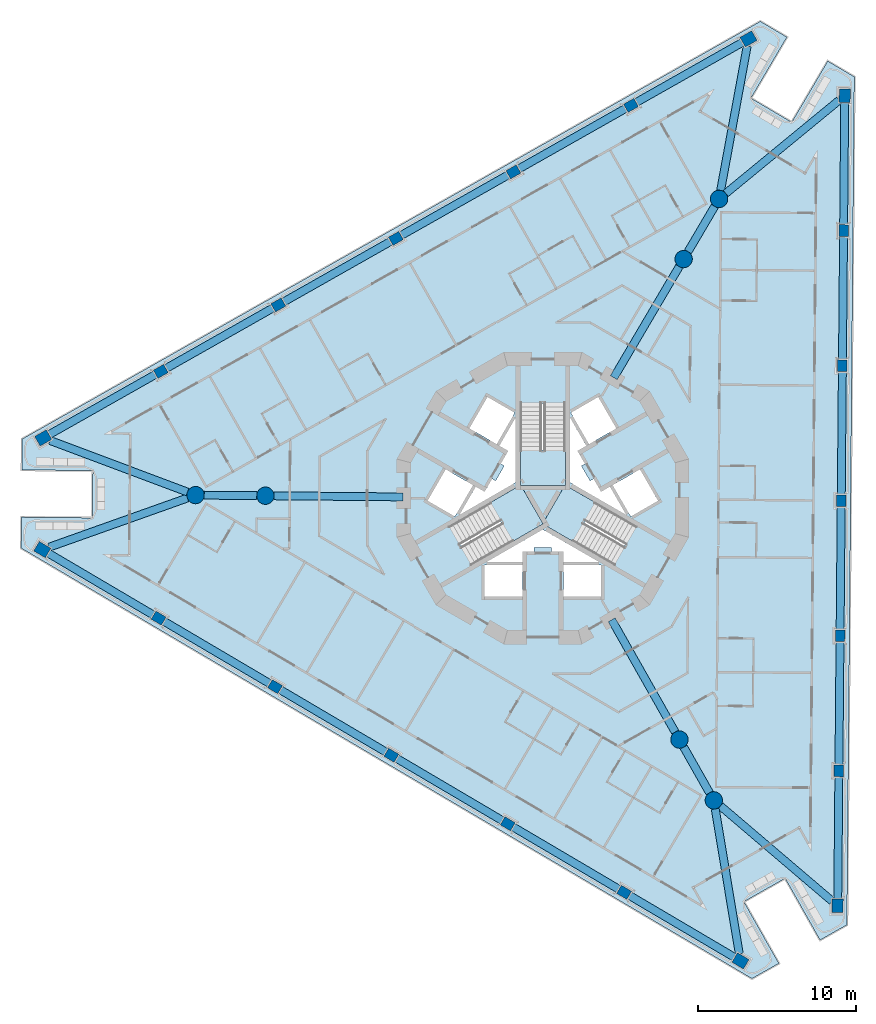
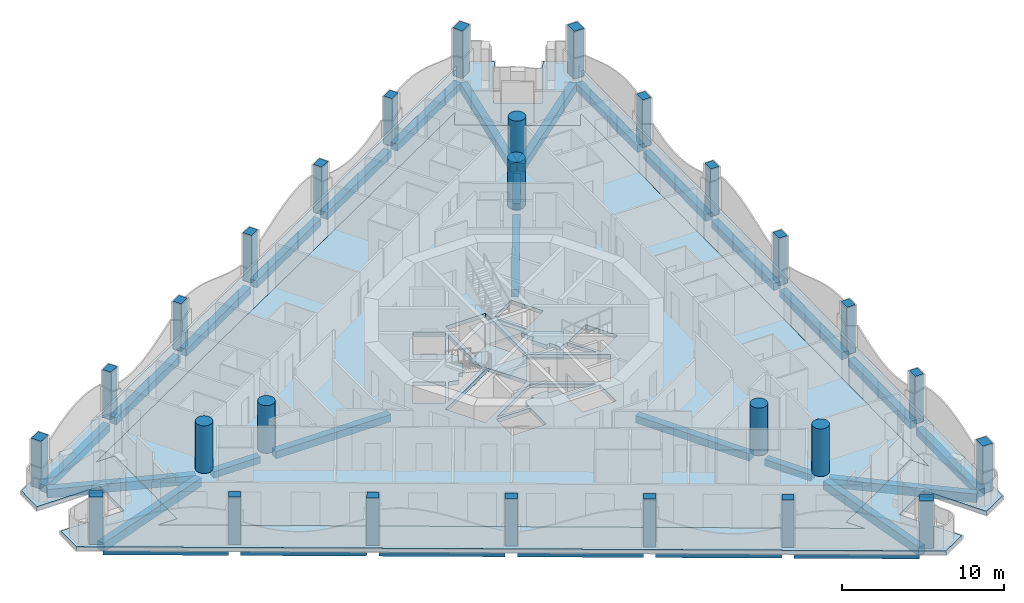
# One storey, part 1 of 17: 30 beams, 27 columns, 6 slabs, 3 elements without a shape of their own.
"""IFC4 building model written with IfcOpenShell, lengths in metres."""

from ifc_helpers import new_model, si_unit, direction, frame, origin, origin_2d, place, context, subcontext, project, spatial, polyline, rectangle, circle, outline, extrude, material, layer, layer_set, material_profile, profile_set, type_object, element, aggregate, save


model = new_model("IFC4")

# Units and contexts
model_context = context("Model", 3, precision=1e-05, world=origin(), true_north=direction((0.0, 1.0)))
body_context = subcontext(model_context, "Body", "Model", "MODEL_VIEW")
ifc_project = project(units=[si_unit("LENGTHUNIT", "METRE"), si_unit("AREAUNIT", "SQUARE_METRE"), si_unit("VOLUMEUNIT", "CUBIC_METRE"), si_unit("PLANEANGLEUNIT", "RADIAN"), si_unit("MASSUNIT", "GRAM", prefix="KILO")], contexts=[model_context])

# Site, building, storey
site_placement = place(None, origin())
site = spatial("IfcSite", under=ifc_project, at=site_placement, CompositionType="ELEMENT")
building_placement = place(site_placement, origin())
building = spatial("IfcBuilding", under=site, at=building_placement, Name="Trine Commons Tower", CompositionType="ELEMENT")
storey_placement = place(building_placement, frame((0.0, 0.0, 186.300048828125)))
storey = spatial("IfcBuildingStorey", under=building, at=storey_placement, Name="L48", CompositionType="ELEMENT", Elevation=186.300048828125)

# Columns
ifc_material_1 = material(Name="Concrete C60/75", Category="concrete")
ifc_material_profile_1 = material_profile(ifc_material_1, rectangle(XDim=0.75, YDim=0.60009765625, at=origin_2d()), Name="RC 750x600")
ifc_profile_set_1 = profile_set([ifc_material_profile_1], Name="Concrete C60/75")
column_type_1 = type_object("IfcColumnType", Name="RC column 750x600, C60/75", PredefinedType="COLUMN", material=ifc_profile_set_1)
for number, where, z_axis, x_axis, name in (
    (1, (85.15771484375, 37.483154296875, 0.0), (0.0, 0.0, 1.0), (-0.861629160442, 0.507538362961, 0.0), "Column PC5-02 L48"),
    (2, (77.773193359375, 41.8330078125, 0.0), (0.0, 0.0, 1.0), (-0.861629160442, 0.507538362961, 0.0), "Column PC5-03 L48"),
    (3, (70.388427734375, 46.182861328125, 0.0), (0.0, 0.0, 1.0), (-0.861629160442, 0.507538362961, 0.0), "Column PC5-04 L48"),
    (4, (63.00390625, 50.53271484375, 0.0), (0.0, 0.0, 1.0), (-0.861629160442, 0.507538362961, 0.0), "Column PC5-05 L48"),
    (5, (55.619140625, 54.8828125, 0.0), (0.0, 0.0, 1.0), (-0.861629160442, 0.507538362961, 0.0), "Column PC5-06 L48"),
    (6, (55.755859375, 70.541748046875, 0.0), (0.0, 0.0, 1.0), (0.87035569594, 0.492423560103, 0.0), "Column PC5-09 L48"),
    (7, (63.215087890625, 74.761962890625, 0.0), (0.0, 0.0, 1.0), (0.87035569594, 0.492423560103, 0.0), "Column PC5-10 L48"),
    (8, (70.6748046875, 78.982421875, 0.0), (0.0, 0.0, 1.0), (0.87035569594, 0.492423560103, 0.0), "Column PC5-11 L48"),
    (9, (78.13427734375, 83.202880859375, 0.0), (0.0, 0.0, 1.0), (0.87035569594, 0.492423560103, 0.0), "Column PC5-12 L48"),
    (10, (85.59375, 87.423095703125, 0.0), (0.0, 0.0, 1.0), (0.87035569594, 0.492423560103, 0.0), "Column PC5-13 L48"),
    (11, (99.08642578125, 79.475341796875, 0.0), (0.0, 0.0, 1.0), (0.008726535498, 0.999961923064, 0.0), "Column PC5-16 L48"),
    (12, (99.01171875, 70.905029296875, 0.0), (0.0, 0.0, 1.0), (0.008726535498, 0.999961923064, 0.0), "Column PC5-17 L48"),
    (13, (98.936767578125, 62.334716796875, 0.0), (0.0, 0.0, 1.0), (0.008726535498, 0.999961923064, 0.0), "Column PC5-18 L48"),
    (14, (98.862060546875, 53.764404296875, 0.0), (0.0, 0.0, 1.0), (0.008726535498, 0.999961923064, 0.0), "Column PC5-19 L48"),
    (15, (98.787109375, 45.194091796875, 0.0), (0.0, 0.0, 1.0), (0.008726535498, 0.999961923064, 0.0), "Column PC5-20 L48"),
):
    element("IfcColumn", number, at=place(storey_placement, frame(where, z_axis=z_axis, x_axis=x_axis)), inside=storey, type_object=column_type_1, Name=name, PredefinedType="COLUMN", context=body_context, shape_type="SweptSolid", body=[
        extrude(rectangle(XDim=0.75, YDim=0.60009765625, at=origin_2d()), origin(), (0.0, 0.0, 1.0), 3.599853515625),
    ])
ifc_material_profile_2 = material_profile(ifc_material_1, rectangle(XDim=0.85009765625, YDim=0.699951171875, at=origin_2d()), Name="RC 850x700")
ifc_profile_set_2 = profile_set([ifc_material_profile_2], Name="Concrete C60/75")
column_type_2 = type_object("IfcColumnType", Name="RC column 850x700, C60/75", PredefinedType="COLUMN", material=ifc_profile_set_2)
for number, where, z_axis, x_axis, name in (
    (16, (92.54248046875, 33.133056640625, 0.0), (0.0, 0.0, 1.0), (-0.861629160442, 0.507538362961, 0.0), "Column PC5-01 L48"),
    (17, (48.234375, 59.232666015625, 0.0), (0.0, 0.0, 1.0), (-0.861629160442, 0.507538362961, 0.0), "Column PC5-07 L48"),
    (18, (48.29638671875, 66.3212890625, 0.0), (0.0, 0.0, 1.0), (0.87035569594, 0.492423560103, 0.0), "Column PC5-08 L48"),
    (19, (93.052978515625, 91.6435546875, 0.0), (0.0, 0.0, 1.0), (0.87035569594, 0.492423560103, 0.0), "Column PC5-14 L48"),
    (20, (99.1611328125, 88.045654296875, 0.0), (0.0, 0.0, 1.0), (0.008726535498, 0.999961923064, 0.0), "Column PC5-15 L48"),
    (21, (98.71240234375, 36.623779296875, 0.0), (0.0, 0.0, 1.0), (0.008726535498, 0.999961923064, 0.0), "Column PC5-21 L48"),
):
    element("IfcColumn", number, at=place(storey_placement, frame(where, z_axis=z_axis, x_axis=x_axis)), inside=storey, type_object=column_type_2, Name=name, PredefinedType="COLUMN", context=body_context, shape_type="SweptSolid", body=[
        extrude(rectangle(XDim=0.85009765625, YDim=0.699951171875, at=origin_2d()), origin(), (0.0, 0.0, 1.0), 3.599853515625),
    ])
ifc_material_profile_3 = material_profile(ifc_material_1, circle(Radius=0.550048828125, at=origin_2d()), Name="RC round 1100")
ifc_profile_set_3 = profile_set([ifc_material_profile_3], Name="Concrete C60/75")
column_type_3 = type_object("IfcColumnType", Name="RC round column 1100 mm, C60/75", PredefinedType="COLUMN", material=ifc_profile_set_3)
for number, where, z_axis, x_axis, name in (
    (22, (88.66943359375, 47.177001953125, 0.0), (0.0, 0.0, 1.0), (1.0, 0.0, 0.0), "Column WC5-1 L48"),
    (23, (90.85205078125, 43.319091796875, 0.0), (0.0, 0.0, 1.0), (1.0, 0.0, 0.0), "Column WC5-2 L48"),
    (24, (88.935546875, 77.66943359375, 0.0), (0.0, 0.0, 1.0), (1.0, 0.0, 0.0), "Column WC5-3 L48"),
    (25, (91.185302734375, 81.488525390625, 0.0), (0.0, 0.0, 1.0), (1.0, 0.0, 0.0), "Column WC5-4 L48"),
    (26, (62.39501953125, 62.653564453125, 0.0), (0.0, 0.0, 1.0), (1.0, 0.0, 0.0), "Column WC5-5 L48"),
    (27, (57.962890625, 62.6923828125, 0.0), (0.0, 0.0, 1.0), (1.0, 0.0, 0.0), "Column WC5-6 L48"),
):
    element("IfcColumn", number, at=place(storey_placement, frame(where, z_axis=z_axis, x_axis=x_axis)), inside=storey, type_object=column_type_3, Name=name, PredefinedType="COLUMN", context=body_context, shape_type="SweptSolid", body=[
        extrude(circle(Radius=0.550048828125, at=origin_2d()), origin(), (0.0, 0.0, 1.0), 3.599853515625),
    ])

# Beams
ifc_material_2 = material(Name="Concrete C40/50", Category="concrete")
ifc_material_profile_4 = material_profile(ifc_material_2, rectangle(XDim=0.5, YDim=0.5, at=origin_2d()), Name="RC 500x500")
ifc_profile_set_4 = profile_set([ifc_material_profile_4], Name="Concrete C40/50")
beam_type_1 = type_object("IfcBeamType", Name="RC beam 500x500, C40/50", PredefinedType="BEAM", material=ifc_profile_set_4)
beam_1_placement = place(storey_placement, frame((88.93994140625, 46.698486328125, -0.550048828125), z_axis=(0.492474717644, -0.870326750411, 0.0), x_axis=(0.870326750411, 0.492474717644, 0.0)))
element("IfcBeam", 28, at=beam_1_placement, inside=storey, type_object=beam_type_1, Name="Beam RB5-02 L48", PredefinedType="BEAM", context=body_context, shape_type="SweptSolid", body=[
    extrude(rectangle(XDim=0.5, YDim=0.5, at=origin_2d()), origin(), (0.0, 0.0, 1.0), 3.333251953125),
])
beam_2_placement = place(storey_placement, frame((89.21435546875, 78.142578125, -0.550048828125), z_axis=(0.507522450497, 0.861638533401, 0.0), x_axis=(-0.861638533401, 0.507522450497, 0.0)))
element("IfcBeam", 29, at=beam_2_placement, inside=storey, type_object=beam_type_1, Name="Beam RB5-04 L48", PredefinedType="BEAM", context=body_context, shape_type="SweptSolid", body=[
    extrude(rectangle(XDim=0.5, YDim=0.5, at=origin_2d()), origin(), (0.0, 0.0, 1.0), 3.334228515625),
])
beam_3_placement = place(storey_placement, frame((61.84521484375, 62.658447265625, -0.550048828125), z_axis=(-0.999962000851, 0.008717617443, 0.0), x_axis=(-0.008717617443, -0.999962000851, 0.0)))
element("IfcBeam", 30, at=beam_3_placement, inside=storey, type_object=beam_type_1, Name="Beam RB5-06 L48", PredefinedType="BEAM", context=body_context, shape_type="SweptSolid", body=[
    extrude(rectangle(XDim=0.5, YDim=0.5, at=origin_2d()), origin(), (0.0, 0.0, 1.0), 3.332763671875),
])
ifc_material_profile_5 = material_profile(ifc_material_2, rectangle(XDim=0.5, YDim=0.550048828125, at=origin_2d()), Name="RC 500x550")
ifc_profile_set_5 = profile_set([ifc_material_profile_5], Name="Concrete C40/50")
beam_type_2 = type_object("IfcBeamType", Name="RC beam 500x550, C40/50", PredefinedType="BEAM", material=ifc_profile_set_5)
beam_4_placement = place(storey_placement, frame((92.17626953125, 33.348876953125, -0.574951171875), z_axis=(-0.861628755535, 0.507539050354, 0.0), x_axis=(-0.507539050354, -0.861628755535, 0.0)))
element("IfcBeam", 31, at=beam_4_placement, inside=storey, type_object=beam_type_2, Name="Beam EB5-01 L48", PredefinedType="BEAM", context=body_context, shape_type="SweptSolid", body=[
    extrude(rectangle(XDim=0.5, YDim=0.550048828125, at=origin_2d()), origin(), (0.0, 0.0, 1.0), 7.7705078125),
])
beam_5_placement = place(storey_placement, frame((84.834716796875, 37.67333984375, -0.574951171875), z_axis=(-0.861632320767, 0.507532997755, 0.0), x_axis=(-0.507532997755, -0.861632320767, 0.0)))
element("IfcBeam", 32, at=beam_5_placement, inside=storey, type_object=beam_type_2, Name="Beam EB5-02 L48", PredefinedType="BEAM", context=body_context, shape_type="SweptSolid", body=[
    extrude(rectangle(XDim=0.5, YDim=0.550048828125, at=origin_2d()), origin(), (0.0, 0.0, 1.0), 7.820556640625),
])
beam_6_placement = place(storey_placement, frame((77.4501953125, 42.023193359375, -0.574951171875), z_axis=(-0.861618669075, 0.507556173345, 0.0), x_axis=(-0.507556173345, -0.861618669075, 0.0)))
element("IfcBeam", 33, at=beam_6_placement, inside=storey, type_object=beam_type_2, Name="Beam EB5-03 L48", PredefinedType="BEAM", context=body_context, shape_type="SweptSolid", body=[
    extrude(rectangle(XDim=0.5, YDim=0.550048828125, at=origin_2d()), origin(), (0.0, 0.0, 1.0), 7.82080078125),
])
for number, where, z_axis, x_axis, name in (
    (34, (70.0654296875, 46.373291015625, -0.574951171875), (-0.861632320767, 0.507532997755, 0.0), (-0.507532997755, -0.861632320767, 0.0), "Beam EB5-04 L48"),
    (35, (62.6806640625, 50.72314453125, -0.574951171875), (-0.861632320767, 0.507532997755, 0.0), (-0.507532997755, -0.861632320767, 0.0), "Beam EB5-05 L48"),
):
    element("IfcBeam", number, at=place(storey_placement, frame(where, z_axis=z_axis, x_axis=x_axis)), inside=storey, type_object=beam_type_2, Name=name, PredefinedType="BEAM", context=body_context, shape_type="SweptSolid", body=[
        extrude(rectangle(XDim=0.5, YDim=0.550048828125, at=origin_2d()), origin(), (0.0, 0.0, 1.0), 7.820556640625),
    ])
for number, where, z_axis, x_axis, name in (
    (36, (55.2958984375, 55.072998046875, -0.574951171875), (-0.861628755535, 0.507539050354, 0.0), (-0.507539050354, -0.861628755535, 0.0), "Beam EB5-06 L48"),
    (37, (48.666259765625, 66.530517578125, -0.574951171875), (0.870356200913, 0.492422667566, 0.0), (-0.492422667566, 0.870356200913, 0.0), "Beam EB5-07 L48"),
):
    element("IfcBeam", number, at=place(storey_placement, frame(where, z_axis=z_axis, x_axis=x_axis)), inside=storey, type_object=beam_type_2, Name=name, PredefinedType="BEAM", context=body_context, shape_type="SweptSolid", body=[
        extrude(rectangle(XDim=0.5, YDim=0.550048828125, at=origin_2d()), origin(), (0.0, 0.0, 1.0), 7.7705078125),
    ])
for number, where, z_axis, x_axis, name in (
    (38, (56.082275390625, 70.726318359375, -0.574951171875), (0.87035228491, 0.49242958903, 0.0), (-0.49242958903, 0.87035228491, 0.0), "Beam EB5-08 L48"),
    (39, (63.54150390625, 74.94677734375, -0.574951171875), (0.870373233333, 0.492392561578, 0.0), (-0.492392561578, 0.870373233333, 0.0), "Beam EB5-09 L48"),
    (40, (71.001220703125, 79.1669921875, -0.574951171875), (0.87035228491, 0.49242958903, 0.0), (-0.49242958903, 0.87035228491, 0.0), "Beam EB5-10 L48"),
    (41, (78.460693359375, 83.387451171875, -0.574951171875), (0.870365664344, 0.492405940592, 0.0), (-0.492405940592, 0.870365664344, 0.0), "Beam EB5-11 L48"),
):
    element("IfcBeam", number, at=place(storey_placement, frame(where, z_axis=z_axis, x_axis=x_axis)), inside=storey, type_object=beam_type_2, Name=name, PredefinedType="BEAM", context=body_context, shape_type="SweptSolid", body=[
        extrude(rectangle(XDim=0.5, YDim=0.550048828125, at=origin_2d()), origin(), (0.0, 0.0, 1.0), 7.820556640625),
    ])
beam_7_placement = place(storey_placement, frame((85.920166015625, 87.60791015625, -0.574951171875), z_axis=(0.870362048186, 0.492412332377, 0.0), x_axis=(-0.492412332377, 0.870362048186, 0.0)))
element("IfcBeam", 42, at=beam_7_placement, inside=storey, type_object=beam_type_2, Name="Beam EB5-12 L48", PredefinedType="BEAM", context=body_context, shape_type="SweptSolid", body=[
    extrude(rectangle(XDim=0.5, YDim=0.550048828125, at=origin_2d()), origin(), (0.0, 0.0, 1.0), 7.770263671875),
])
beam_8_placement = place(storey_placement, frame((99.157470703125, 87.62060546875, -0.574951171875), z_axis=(-0.008734388901, -0.999961854498, 0.0), x_axis=(0.999961854498, -0.008734388901, 0.0)))
element("IfcBeam", 43, at=beam_8_placement, inside=storey, type_object=beam_type_2, Name="Beam EB5-13 L48", PredefinedType="BEAM", context=body_context, shape_type="SweptSolid", body=[
    extrude(rectangle(XDim=0.5, YDim=0.550048828125, at=origin_2d()), origin(), (0.0, 0.0, 1.0), 7.7705078125),
])
for number, where, z_axis, x_axis, name in (
    (44, (99.0830078125, 79.100341796875, -0.574951171875), (-0.008709709586, -0.99996206976, 0.0), (0.99996206976, -0.008709709586, 0.0), "Beam EB5-14 L48"),
    (45, (99.00830078125, 70.530029296875, -0.574951171875), (-0.008709709586, -0.99996206976, 0.0), (0.99996206976, -0.008709709586, 0.0), "Beam EB5-15 L48"),
    (46, (98.93359375, 61.959716796875, -0.574951171875), (-0.008740924802, -0.999961797387, 0.0), (0.999961797387, -0.008740924802, 0.0), "Beam EB5-16 L48"),
    (47, (98.858642578125, 53.389404296875, -0.574951171875), (-0.008709709586, -0.99996206976, 0.0), (0.99996206976, -0.008709709586, 0.0), "Beam EB5-17 L48"),
):
    element("IfcBeam", number, at=place(storey_placement, frame(where, z_axis=z_axis, x_axis=x_axis)), inside=storey, type_object=beam_type_2, Name=name, PredefinedType="BEAM", context=body_context, shape_type="SweptSolid", body=[
        extrude(rectangle(XDim=0.5, YDim=0.550048828125, at=origin_2d()), origin(), (0.0, 0.0, 1.0), 7.820556640625),
    ])
beam_9_placement = place(storey_placement, frame((98.783935546875, 44.819091796875, -0.574951171875), z_axis=(-0.008734388901, -0.999961854498, 0.0), x_axis=(0.999961854498, -0.008734388901, 0.0)))
element("IfcBeam", 48, at=beam_9_placement, inside=storey, type_object=beam_type_2, Name="Beam EB5-18 L48", PredefinedType="BEAM", context=body_context, shape_type="SweptSolid", body=[
    extrude(rectangle(XDim=0.5, YDim=0.550048828125, at=origin_2d()), origin(), (0.0, 0.0, 1.0), 7.7705078125),
])
beam_10_placement = place(storey_placement, frame((84.369384765625, 54.777099609375, -0.574951171875), z_axis=(0.492419995537, -0.870357712665, 0.0), x_axis=(0.870357712665, 0.492419995537, 0.0)))
element("IfcBeam", 49, at=beam_10_placement, inside=storey, type_object=beam_type_2, Name="Beam RB5-01 L48", PredefinedType="BEAM", context=body_context, shape_type="SweptSolid", body=[
    extrude(rectangle(XDim=0.5, YDim=0.550048828125, at=origin_2d()), origin(), (0.0, 0.0, 1.0), 8.1826171875),
])
beam_11_placement = place(storey_placement, frame((84.50341796875, 70.1455078125, -0.574951171875), z_axis=(0.507559825452, 0.861616517708, 0.0), x_axis=(-0.861616517708, 0.507559825452, 0.0)))
element("IfcBeam", 50, at=beam_11_placement, inside=storey, type_object=beam_type_2, Name="Beam RB5-03 L48", PredefinedType="BEAM", context=body_context, shape_type="SweptSolid", body=[
    extrude(rectangle(XDim=0.5, YDim=0.550048828125, at=origin_2d()), origin(), (0.0, 0.0, 1.0), 8.182861328125),
])
beam_12_placement = place(storey_placement, frame((71.127197265625, 62.577392578125, -0.574951171875), z_axis=(-0.999962048186, 0.008712186128, 0.0), x_axis=(-0.008712186128, -0.999962048186, 0.0)))
element("IfcBeam", 51, at=beam_12_placement, inside=storey, type_object=beam_type_2, Name="Beam RB5-05 L48", PredefinedType="BEAM", context=body_context, shape_type="SweptSolid", body=[
    extrude(rectangle(XDim=0.5, YDim=0.550048828125, at=origin_2d()), origin(), (0.0, 0.0, 1.0), 8.1826171875),
])
ifc_material_profile_6 = material_profile(ifc_material_2, rectangle(XDim=0.5, YDim=0.64990234375, at=origin_2d()), Name="RC 500x650")
ifc_profile_set_6 = profile_set([ifc_material_profile_6], Name="Concrete C40/50")
beam_type_3 = type_object("IfcBeamType", Name="RC beam 500x650, C40/50", PredefinedType="BEAM", material=ifc_profile_set_6)
beam_13_placement = place(storey_placement, frame((48.664306640625, 59.385498046875, -0.625), z_axis=(0.94219208675, 0.335073233287, 0.0), x_axis=(-0.335073233287, 0.94219208675, 0.0)))
element("IfcBeam", 52, at=beam_13_placement, inside=storey, type_object=beam_type_3, Name="Beam CB5-01 L48", PredefinedType="BEAM", context=body_context, shape_type="SweptSolid", body=[
    extrude(rectangle(XDim=0.5, YDim=0.64990234375, at=origin_2d()), origin(), (0.0, 0.0, 1.0), 9.31982421875),
])
beam_14_placement = place(storey_placement, frame((48.7236328125, 66.160888671875, -0.625), z_axis=(0.936203156272, -0.351459315123, 0.0), x_axis=(0.351459315123, 0.936203156272, 0.0)))
element("IfcBeam", 53, at=beam_14_placement, inside=storey, type_object=beam_type_3, Name="Beam CB5-02 L48", PredefinedType="BEAM", context=body_context, shape_type="SweptSolid", body=[
    extrude(rectangle(XDim=0.5, YDim=0.64990234375, at=origin_2d()), origin(), (0.0, 0.0, 1.0), 9.3193359375),
])
beam_15_placement = place(storey_placement, frame((92.970458984375, 91.194580078125, -0.625), z_axis=(-0.180897704794, -0.983501916826, 0.0), x_axis=(0.983501916826, -0.180897704794, 0.0)))
element("IfcBeam", 54, at=beam_15_placement, inside=storey, type_object=beam_type_3, Name="Beam CB5-03 L48", PredefinedType="BEAM", context=body_context, shape_type="SweptSolid", body=[
    extrude(rectangle(XDim=0.5, YDim=0.64990234375, at=origin_2d()), origin(), (0.0, 0.0, 1.0), 9.319091796875),
])
beam_16_placement = place(storey_placement, frame((98.80859375, 87.755859375, -0.625), z_axis=(-0.772466897343, -0.635055031087, 0.0), x_axis=(0.635055031087, -0.772466897343, 0.0)))
element("IfcBeam", 55, at=beam_16_placement, inside=storey, type_object=beam_type_3, Name="Beam CB5-04 L48", PredefinedType="BEAM", context=body_context, shape_type="SweptSolid", body=[
    extrude(rectangle(XDim=0.5, YDim=0.64990234375, at=origin_2d()), origin(), (0.0, 0.0, 1.0), 9.31884765625),
])
beam_17_placement = place(storey_placement, frame((98.364990234375, 36.919921875, -0.625), z_axis=(-0.761281547068, 0.648421472573, 0.0), x_axis=(-0.648421472573, -0.761281547068, 0.0)))
element("IfcBeam", 56, at=beam_17_placement, inside=storey, type_object=beam_type_3, Name="Beam CB5-05 L48", PredefinedType="BEAM", context=body_context, shape_type="SweptSolid", body=[
    extrude(rectangle(XDim=0.5, YDim=0.64990234375, at=origin_2d()), origin(), (0.0, 0.0, 1.0), 9.319091796875),
])
beam_18_placement = place(storey_placement, frame((92.4677734375, 33.583251953125, -0.625), z_axis=(-0.163727753956, 0.986505561355, 0.0), x_axis=(-0.986505561355, -0.163727753956, 0.0)))
element("IfcBeam", 57, at=beam_18_placement, inside=storey, type_object=beam_type_3, Name="Beam CB5-06 L48", PredefinedType="BEAM", context=body_context, shape_type="SweptSolid", body=[
    extrude(rectangle(XDim=0.5, YDim=0.64990234375, at=origin_2d()), origin(), (0.0, 0.0, 1.0), 9.319580078125),
])

# Slabs
ifc_layer_1 = layer(ifc_material_2, 0.300048828125)
ifc_layer_set_1 = layer_set([ifc_layer_1], Name="Concrete C40/50")
slab_type_1 = type_object("IfcSlabType", Name="Loggia slab 300 mm, C40/50", PredefinedType="FLOOR", material=ifc_layer_set_1)
slab_1_placement = place(storey_placement, frame((0.0, 0.0, -0.300048828125)))
element("IfcSlab", 58, at=slab_1_placement, inside=storey, type_object=slab_type_1, Name="Loggia slab L48", PredefinedType="FLOOR", context=body_context, shape_type="SweptSolid", body=[
    extrude(outline(polyline([(99.302001953125, 35.418701171875), (99.771484375, 89.240234375), (98.079345703125, 90.237060546875), (95.79541015625, 86.35986328125), (93.21044921875, 87.88232421875), (95.494384765625, 91.759765625), (93.802001953125, 92.756591796875), (46.956298828125, 66.252685546875), (46.939208984375, 64.28857421875), (51.439208984375, 64.249267578125), (51.412841796875, 61.24951171875), (46.9130859375, 61.288818359375), (46.89599609375, 59.32470703125), (93.27197265625, 32.007080078125), (94.9814453125, 32.974365234375), (92.765380859375, 36.890869140625), (95.376708984375, 38.3681640625), (97.592529296875, 34.45166015625), (99.302001953125, 35.418701171875)]), holes=[polyline([(90.156982421875, 36.627197265625), (89.494873046875, 37.7978515625), (96.28369140625, 41.638916015625), (96.94580078125, 40.46826171875), (97.327880859375, 84.232666015625), (96.645263671875, 83.07373046875), (89.924560546875, 87.03271484375), (90.607177734375, 88.19140625), (52.514892578125, 66.639892578125), (53.860107421875, 66.62841796875), (53.7919921875, 58.82861328125), (52.447021484375, 58.84033203125), (90.156982421875, 36.627197265625)])]), origin(), (0.0, 0.0, 1.0), 0.300048828125),
])
ifc_layer_2 = layer(ifc_material_2, 0.300048828125)
ifc_layer_set_2 = layer_set([ifc_layer_2], Name="Concrete C40/50")
slab_type_2 = type_object("IfcSlabType", Name="PT flat slab 300 mm, C40/50", PredefinedType="FLOOR", material=ifc_layer_set_2)
slab_2_placement = place(storey_placement, frame((0.0, 0.0, -0.300048828125)))
element("IfcSlab", 59, at=slab_2_placement, inside=storey, type_object=slab_type_2, Name="Floor slab L48", PredefinedType="FLOOR", context=body_context, shape_type="SweptSolid", body=[
    extrude(outline(polyline([(52.447021484375, 58.84033203125), (90.156982421875, 36.627197265625), (89.494873046875, 37.7978515625), (96.28369140625, 41.638916015625), (96.94580078125, 40.46826171875), (97.327880859375, 84.232666015625), (96.645263671875, 83.07373046875), (89.924560546875, 87.03271484375), (90.607177734375, 88.19140625), (52.514892578125, 66.639892578125), (53.860107421875, 66.62841796875), (53.7919921875, 58.82861328125), (52.447021484375, 58.84033203125)]), holes=[polyline([(78.699951171875, 56.25), (78.699951171875, 58.25), (76.300048828125, 58.25), (76.300048828125, 56.25), (78.699951171875, 56.25)]), polyline([(80.0, 60.8544921875), (84.4755859375, 58.2705078125), (85.900390625, 60.73876953125), (81.425048828125, 63.32275390625), (81.425048828125, 68.490478515625), (78.574951171875, 68.490478515625), (78.574951171875, 63.32275390625), (74.099609375, 60.73876953125), (75.5244140625, 58.2705078125), (80.0, 60.8544921875)]), polyline([(73.83740234375, 64.325927734375), (72.687255859375, 62.333984375), (74.41943359375, 61.333984375), (75.5693359375, 63.325927734375), (73.83740234375, 64.325927734375)]), polyline([(76.381103515625, 63.031005859375), (75.742919921875, 63.22607421875), (74.7099609375, 61.43798828125), (78.27490234375, 63.49609375), (78.27490234375, 67.612060546875), (77.242919921875, 65.823974609375), (77.73095703125, 65.368896484375), (77.3310546875, 64.676025390625), (77.555908203125, 64.5458984375), (77.006103515625, 63.593994140625), (76.781005859375, 63.722900390625), (76.381103515625, 63.031005859375)]), polyline([(76.4873046875, 68.916015625), (75.33740234375, 66.924072265625), (77.0693359375, 65.924072265625), (78.219482421875, 67.916015625), (76.4873046875, 68.916015625)]), polyline([(83.699951171875, 56.25), (83.699951171875, 58.25), (81.300048828125, 58.25), (81.300048828125, 56.25), (83.699951171875, 56.25)]), polyline([(81.14990234375, 59.10009765625), (81.300048828125, 58.449951171875), (83.56494140625, 58.449951171875), (80.0, 60.508056640625), (76.43505859375, 58.449951171875), (78.699951171875, 58.449951171875), (78.85009765625, 59.10009765625), (79.449951171875, 59.10009765625), (79.449951171875, 59.360107421875), (80.550048828125, 59.360107421875), (80.550048828125, 59.10009765625), (81.14990234375, 59.10009765625)]), polyline([(86.16259765625, 64.325927734375), (84.4306640625, 63.325927734375), (85.58056640625, 61.333984375), (87.312744140625, 62.333984375), (86.16259765625, 64.325927734375)]), polyline([(83.243896484375, 63.738037109375), (82.993896484375, 63.593994140625), (82.444091796875, 64.5458984375), (82.72705078125, 64.7099609375), (82.281005859375, 65.549072265625), (82.757080078125, 65.823974609375), (81.72509765625, 67.612060546875), (81.72509765625, 63.49609375), (85.2900390625, 61.43798828125), (84.257080078125, 63.22607421875), (83.618896484375, 63.031005859375), (83.243896484375, 63.738037109375)]), polyline([(84.66259765625, 66.924072265625), (83.5126953125, 68.916015625), (81.780517578125, 67.916015625), (82.9306640625, 65.924072265625), (84.66259765625, 66.924072265625)])]), origin(), (0.0, 0.0, 1.0), 0.300048828125),
])
slab_3_placement = place(storey_placement, frame((0.0, 0.0, -0.300048828125)))
element("IfcSlab", 60, at=slab_3_placement, inside=storey, type_object=slab_type_2, Name="Floor slab L48 2", PredefinedType="FLOOR", context=body_context, shape_type="SweptSolid", body=[
    extrude(outline(polyline([(78.61328125, 63.300537109375), (80.0, 60.89892578125), (81.38671875, 63.300537109375), (78.61328125, 63.300537109375)])), origin(), (0.0, 0.0, 1.0), 0.300048828125),
])

# Stair, slab
ifc_material_3 = material(Name="Concrete C50/60", Category="concrete")
stair_type = type_object("IfcStairType", Name="Exit stair, dog-leg, 24 risers of 150 mm", PredefinedType="HALF_TURN_STAIR", material=ifc_material_3)
stair_1_placement = place(storey_placement, origin())
stair_1 = element("IfcStair", 61, at=stair_1_placement, inside=storey, type_object=stair_type, Name="L48 Exit stair ST1B", PredefinedType="HALF_TURN_STAIR")
ifc_layer_3 = layer(ifc_material_3, 0.199951171875)
ifc_layer_set_3 = layer_set([ifc_layer_3], Name="Concrete C50/60")
slab_type_3 = type_object("IfcSlabType", Name="Stair landing slab 200 mm, C50/60", PredefinedType="LANDING", material=ifc_layer_set_3)
slab_4_placement = place(storey_placement, frame((0.0, 0.0, 1.599853515625)))
slab_4 = element("IfcSlab", 62, at=slab_4_placement, type_object=slab_type_3, Name="ST1B landing 1", PredefinedType="LANDING", context=body_context, shape_type="SweptSolid", body=[
    extrude(outline(polyline([(78.574951171875, 65.570556640625), (78.574951171875, 63.300537109375), (81.425048828125, 63.300537109375), (81.425048828125, 65.570556640625), (78.574951171875, 65.570556640625)])), origin(), (0.0, 0.0, 1.0), 0.2001953125),
])
aggregate(stair_1, [slab_4])

stair_2_placement = place(storey_placement, origin())
stair_2 = element("IfcStair", 63, at=stair_2_placement, inside=storey, type_object=stair_type, Name="L48 Exit stair ST2B", PredefinedType="HALF_TURN_STAIR")
slab_5_placement = place(storey_placement, frame((0.0, 0.0, 1.599853515625)))
slab_5 = element("IfcSlab", 64, at=slab_5_placement, type_object=slab_type_3, Name="ST2B landing 1", PredefinedType="LANDING", context=body_context, shape_type="SweptSolid", body=[
    extrude(outline(polyline([(78.05322265625, 59.730712890625), (80.019287109375, 60.86572265625), (78.59423828125, 63.333740234375), (76.628173828125, 62.19873046875), (78.05322265625, 59.730712890625)])), origin(), (0.0, 0.0, 1.0), 0.2001953125),
])
aggregate(stair_2, [slab_5])

stair_3_placement = place(storey_placement, origin())
stair_3 = element("IfcStair", 65, at=stair_3_placement, inside=storey, type_object=stair_type, Name="L48 Exit stair ST3B", PredefinedType="HALF_TURN_STAIR")
slab_6_placement = place(storey_placement, frame((0.0, 0.0, 1.599853515625)))
slab_6 = element("IfcSlab", 66, at=slab_6_placement, type_object=slab_type_3, Name="ST3B landing 1", PredefinedType="LANDING", context=body_context, shape_type="SweptSolid", body=[
    extrude(outline(polyline([(83.371826171875, 62.19873046875), (81.40576171875, 63.333740234375), (79.980712890625, 60.86572265625), (81.94677734375, 59.730712890625), (83.371826171875, 62.19873046875)])), origin(), (0.0, 0.0, 1.0), 0.2001953125),
])
aggregate(stair_3, [slab_6])

save(model, "model.ifc")
